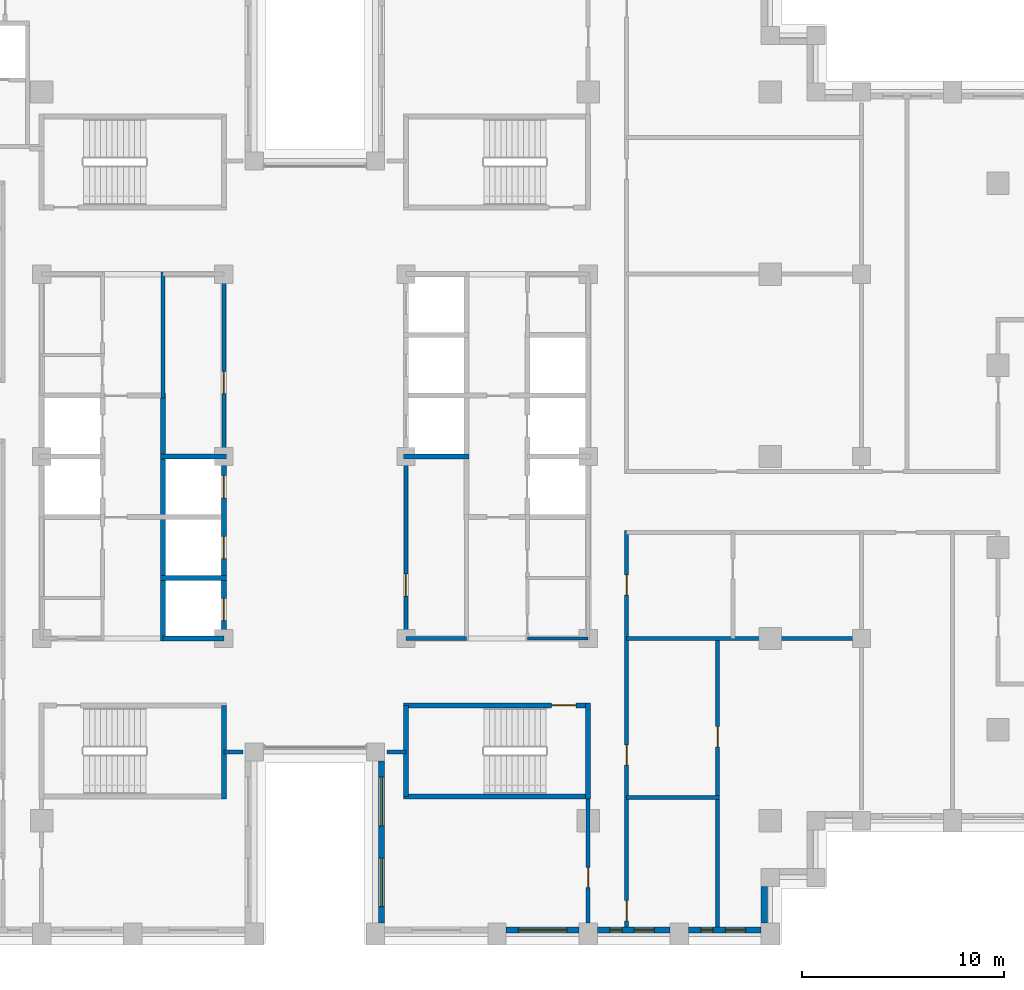
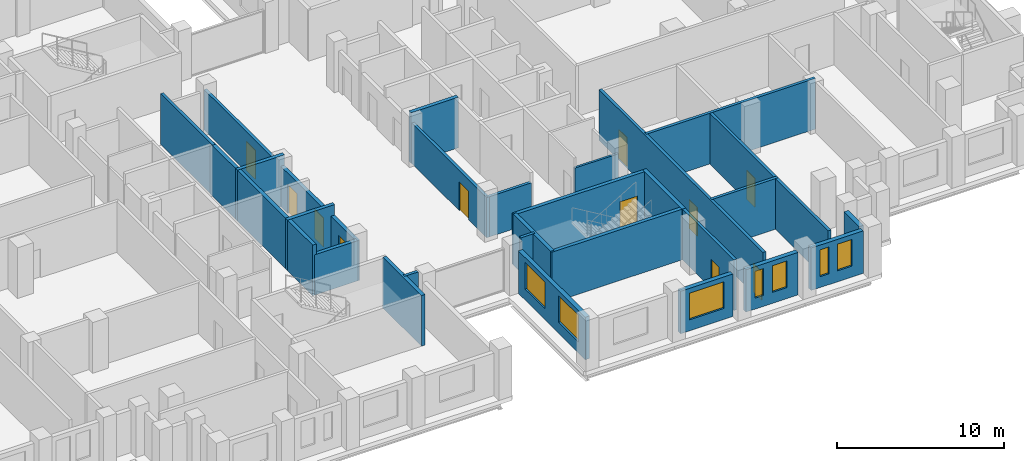
# One storey, part 8 of 15: 28 walls, 11 doors, 7 windows, 18 openings.
"""IFC4 building model written with IfcOpenShell, lengths in metres."""

from ifc_helpers import new_model, si_unit, direction, frame, frame_2d, origin, place, context, subcontext, project, spatial, rectangle, extrude, material, layer, layer_set, type_object, element, fill, save


model = new_model("IFC4")

# Units and contexts
model_context = context("Model", 3, precision=1e-05, world=origin(), true_north=direction((0.0, 1.0)))
body_context = subcontext(model_context, "Body", "Model", "MODEL_VIEW")
ifc_project = project(units=[si_unit("LENGTHUNIT", "METRE"), si_unit("AREAUNIT", "SQUARE_METRE"), si_unit("VOLUMEUNIT", "CUBIC_METRE"), si_unit("PLANEANGLEUNIT", "RADIAN"), si_unit("MASSUNIT", "GRAM", prefix="KILO")], contexts=[model_context])

# Site, building, storey
site_placement = place(None, origin())
site = spatial("IfcSite", under=ifc_project, at=site_placement, CompositionType="ELEMENT")
building_placement = place(site_placement, origin())
building = spatial("IfcBuilding", under=site, at=building_placement, Name="Corbelhall Arena Tower", CompositionType="ELEMENT")
storey_placement = place(building_placement, frame((0.0, 0.0, 138.0)))
storey = spatial("IfcBuildingStorey", under=building, at=storey_placement, Name="L26", CompositionType="ELEMENT", Elevation=138.0)

# Wall, openings, windows
ifc_material_1 = material(Name="Precast concrete C40/50 with granite facing", Category="masonry")
ifc_layer_1 = layer(ifc_material_1, 0.300048828125)
ifc_layer_set_1 = layer_set([ifc_layer_1], Name="EV-IW1 Infill panel 300")
wall_type_1 = type_object("IfcWallType", Name="EV-IW1 Infill panel 300", PredefinedType="SOLIDWALL", material=ifc_layer_set_1)
wall_1_placement = place(storey_placement, frame((3.300048828125, -15.050048828125, 0.0), z_axis=(0.0, 0.0, 1.0), x_axis=(0.0, -1.0, 0.0)))
wall_1 = element("IfcWall", 1, at=wall_1_placement, inside=storey, type_object=wall_type_1, Name="Infill panel IW1", PredefinedType="SOLIDWALL", context=body_context, shape_type="SweptSolid", body=[
    extrude(rectangle(XDim=8.0, YDim=0.300048828125, at=frame_2d((4.0, 0.0))), origin(), (0.0, 0.0, 1.0), 3.10009765625),
])
opening_1_placement = place(wall_1_placement, frame((0.800048828125, 0.0, 0.800048828125)))
opening_1 = element("IfcOpeningElement", 2, at=opening_1_placement, cuts=wall_1, Name="Opening WN1", PredefinedType="OPENING", context=body_context, shape_type="SweptSolid", body=[
    extrude(rectangle(XDim=2.39990234375, YDim=1.949951171875, at=frame_2d((1.199951171875, 0.97509765625))), frame((0.0, 0.14990234375, 0.0), z_axis=(0.0, -1.0, 0.0), x_axis=(1.0, 0.0, 0.0)), (0.0, 0.0, 1.0), 0.300048828125),
])
opening_2_placement = place(wall_1_placement, frame((4.800048828125, 0.0, 0.800048828125)))
opening_2 = element("IfcOpeningElement", 3, at=opening_2_placement, cuts=wall_1, Name="Opening WN1", PredefinedType="OPENING", context=body_context, shape_type="SweptSolid", body=[
    extrude(rectangle(XDim=2.39990234375, YDim=1.949951171875, at=frame_2d((1.199951171875, 0.97509765625))), frame((0.0, 0.14990234375, 0.0), z_axis=(0.0, -1.0, 0.0), x_axis=(1.0, 0.0, 0.0)), (0.0, 0.0, 1.0), 0.300048828125),
])
ifc_material_2 = material(Name="Aluminium black anodised", Category="aluminium")
window_type_1 = type_object("IfcWindowType", Name="EV-WN1 Office window", PartitioningType="SINGLE_PANEL", PredefinedType="WINDOW", material=ifc_material_2)
window_1_placement = place(opening_1_placement, origin())
window_1 = element("IfcWindow", 4, at=window_1_placement, inside=storey, type_object=window_type_1, Name="Window WN1", OverallHeight=1.949951171875, OverallWidth=2.39990234375, PartitioningType="SINGLE_PANEL", PredefinedType="WINDOW", context=body_context, shape_type="SweptSolid", body=[
    extrude(rectangle(XDim=2.39990234375, YDim=1.949951171875, at=frame_2d((1.199951171875, 0.97509765625))), frame((0.0, 0.030029296875, 0.0), z_axis=(0.0, -1.0, 0.0), x_axis=(1.0, 0.0, 0.0)), (0.0, 0.0, 1.0), 0.06005859375),
])
fill(opening_1, window_1)
window_2_placement = place(opening_2_placement, origin())
window_2 = element("IfcWindow", 5, at=window_2_placement, inside=storey, type_object=window_type_1, Name="Window WN1", OverallHeight=1.949951171875, OverallWidth=2.39990234375, PartitioningType="SINGLE_PANEL", PredefinedType="WINDOW", context=body_context, shape_type="SweptSolid", body=[
    extrude(rectangle(XDim=2.39990234375, YDim=1.949951171875, at=frame_2d((1.199951171875, 0.97509765625))), frame((0.0, 0.030029296875, 0.0), z_axis=(0.0, -1.0, 0.0), x_axis=(1.0, 0.0, 0.0)), (0.0, 0.0, 1.0), 0.06005859375),
])
fill(opening_2, window_2)

# Wall, opening, window
wall_2_placement = place(storey_placement, frame((9.449951171875, -23.39990234375, 0.0), z_axis=(0.0, 0.0, 1.0), x_axis=(1.0, 0.0, 0.0)))
wall_2 = element("IfcWall", 6, at=wall_2_placement, inside=storey, type_object=wall_type_1, Name="Infill panel IW1", PredefinedType="SOLIDWALL", context=body_context, shape_type="SweptSolid", body=[
    extrude(rectangle(XDim=3.60009765625, YDim=0.300048828125, at=frame_2d((1.800048828125, 0.0))), origin(), (0.0, 0.0, 1.0), 3.10009765625),
])
opening_3_placement = place(wall_2_placement, frame((0.60009765625, 0.0, 0.800048828125)))
opening_3 = element("IfcOpeningElement", 7, at=opening_3_placement, cuts=wall_2, Name="Opening WN1", PredefinedType="OPENING", context=body_context, shape_type="SweptSolid", body=[
    extrude(rectangle(XDim=2.39990234375, YDim=1.949951171875, at=frame_2d((1.199951171875, 0.97509765625))), frame((0.0, 0.14990234375, 0.0), z_axis=(0.0, -1.0, 0.0), x_axis=(1.0, 0.0, 0.0)), (0.0, 0.0, 1.0), 0.300048828125),
])
window_3_placement = place(opening_3_placement, origin())
window_3 = element("IfcWindow", 8, at=window_3_placement, inside=storey, type_object=window_type_1, Name="Window WN1", OverallHeight=1.949951171875, OverallWidth=2.39990234375, PartitioningType="SINGLE_PANEL", PredefinedType="WINDOW", context=body_context, shape_type="SweptSolid", body=[
    extrude(rectangle(XDim=2.39990234375, YDim=1.949951171875, at=frame_2d((1.199951171875, 0.97509765625))), frame((0.0, 0.030029296875, 0.0), z_axis=(0.0, -1.0, 0.0), x_axis=(1.0, 0.0, 0.0)), (0.0, 0.0, 1.0), 0.06005859375),
])
fill(opening_3, window_3)

# Wall, openings, windows
wall_3_placement = place(storey_placement, frame((13.949951171875, -23.39990234375, 0.0), z_axis=(0.0, 0.0, 1.0), x_axis=(1.0, 0.0, 0.0)))
wall_3 = element("IfcWall", 9, at=wall_3_placement, inside=storey, type_object=wall_type_1, Name="Infill panel IW1", PredefinedType="SOLIDWALL", context=body_context, shape_type="SweptSolid", body=[
    extrude(rectangle(XDim=3.60009765625, YDim=0.300048828125, at=frame_2d((1.800048828125, 0.0))), origin(), (0.0, 0.0, 1.0), 3.10009765625),
])
opening_4_placement = place(wall_3_placement, frame((0.625, 0.0, 0.800048828125)))
opening_4 = element("IfcOpeningElement", 10, at=opening_4_placement, cuts=wall_3, Name="Opening WN5", PredefinedType="OPENING", context=body_context, shape_type="SweptSolid", body=[
    extrude(rectangle(XDim=0.60009765625, YDim=1.949951171875, at=frame_2d((0.300048828125, 0.97509765625))), frame((0.0, 0.14990234375, 0.0), z_axis=(0.0, -1.0, 0.0), x_axis=(1.0, 0.0, 0.0)), (0.0, 0.0, 1.0), 0.300048828125),
])
opening_5_placement = place(wall_3_placement, frame((1.824951171875, 0.0, 0.800048828125)))
opening_5 = element("IfcOpeningElement", 11, at=opening_5_placement, cuts=wall_3, Name="Opening WN6", PredefinedType="OPENING", context=body_context, shape_type="SweptSolid", body=[
    extrude(rectangle(XDim=1.0, YDim=1.949951171875, at=frame_2d((0.5, 0.97509765625))), frame((0.0, 0.14990234375, 0.0), z_axis=(0.0, -1.0, 0.0), x_axis=(1.0, 0.0, 0.0)), (0.0, 0.0, 1.0), 0.300048828125),
])
window_type_2 = type_object("IfcWindowType", Name="EV-WN5 Office window 600", PartitioningType="SINGLE_PANEL", PredefinedType="WINDOW", material=ifc_material_2)
window_4_placement = place(opening_4_placement, origin())
window_4 = element("IfcWindow", 12, at=window_4_placement, inside=storey, type_object=window_type_2, Name="Window WN5", OverallHeight=1.949951171875, OverallWidth=0.60009765625, PartitioningType="SINGLE_PANEL", PredefinedType="WINDOW", context=body_context, shape_type="SweptSolid", body=[
    extrude(rectangle(XDim=0.60009765625, YDim=1.949951171875, at=frame_2d((0.300048828125, 0.97509765625))), frame((0.0, 0.030029296875, 0.0), z_axis=(0.0, -1.0, 0.0), x_axis=(1.0, 0.0, 0.0)), (0.0, 0.0, 1.0), 0.06005859375),
])
fill(opening_4, window_4)
window_type_3 = type_object("IfcWindowType", Name="EV-WN6 Office window 1000", PartitioningType="SINGLE_PANEL", PredefinedType="WINDOW", material=ifc_material_2)
window_5_placement = place(opening_5_placement, origin())
window_5 = element("IfcWindow", 13, at=window_5_placement, inside=storey, type_object=window_type_3, Name="Window WN6", OverallHeight=1.949951171875, OverallWidth=1.0, PartitioningType="SINGLE_PANEL", PredefinedType="WINDOW", context=body_context, shape_type="SweptSolid", body=[
    extrude(rectangle(XDim=1.0, YDim=1.949951171875, at=frame_2d((0.5, 0.97509765625))), frame((0.0, 0.030029296875, 0.0), z_axis=(0.0, -1.0, 0.0), x_axis=(1.0, 0.0, 0.0)), (0.0, 0.0, 1.0), 0.06005859375),
])
fill(opening_5, window_5)

wall_4_placement = place(storey_placement, frame((18.449951171875, -23.39990234375, 0.0), z_axis=(0.0, 0.0, 1.0), x_axis=(1.0, 0.0, 0.0)))
wall_4 = element("IfcWall", 14, at=wall_4_placement, inside=storey, type_object=wall_type_1, Name="Infill panel IW1", PredefinedType="SOLIDWALL", context=body_context, shape_type="SweptSolid", body=[
    extrude(rectangle(XDim=3.60009765625, YDim=0.300048828125, at=frame_2d((1.800048828125, 0.0))), origin(), (0.0, 0.0, 1.0), 3.10009765625),
])
opening_6_placement = place(wall_4_placement, frame((0.625, 0.0, 0.800048828125)))
opening_6 = element("IfcOpeningElement", 15, at=opening_6_placement, cuts=wall_4, Name="Opening WN5", PredefinedType="OPENING", context=body_context, shape_type="SweptSolid", body=[
    extrude(rectangle(XDim=0.60009765625, YDim=1.949951171875, at=frame_2d((0.300048828125, 0.97509765625))), frame((0.0, 0.14990234375, 0.0), z_axis=(0.0, -1.0, 0.0), x_axis=(1.0, 0.0, 0.0)), (0.0, 0.0, 1.0), 0.300048828125),
])
opening_7_placement = place(wall_4_placement, frame((1.824951171875, 0.0, 0.800048828125)))
opening_7 = element("IfcOpeningElement", 16, at=opening_7_placement, cuts=wall_4, Name="Opening WN6", PredefinedType="OPENING", context=body_context, shape_type="SweptSolid", body=[
    extrude(rectangle(XDim=1.0, YDim=1.949951171875, at=frame_2d((0.5, 0.97509765625))), frame((0.0, 0.14990234375, 0.0), z_axis=(0.0, -1.0, 0.0), x_axis=(1.0, 0.0, 0.0)), (0.0, 0.0, 1.0), 0.300048828125),
])
window_6_placement = place(opening_6_placement, origin())
window_6 = element("IfcWindow", 17, at=window_6_placement, inside=storey, type_object=window_type_2, Name="Window WN5", OverallHeight=1.949951171875, OverallWidth=0.60009765625, PartitioningType="SINGLE_PANEL", PredefinedType="WINDOW", context=body_context, shape_type="SweptSolid", body=[
    extrude(rectangle(XDim=0.60009765625, YDim=1.949951171875, at=frame_2d((0.300048828125, 0.97509765625))), frame((0.0, 0.030029296875, 0.0), z_axis=(0.0, -1.0, 0.0), x_axis=(1.0, 0.0, 0.0)), (0.0, 0.0, 1.0), 0.06005859375),
])
fill(opening_6, window_6)
window_7_placement = place(opening_7_placement, origin())
window_7 = element("IfcWindow", 18, at=window_7_placement, inside=storey, type_object=window_type_3, Name="Window WN6", OverallHeight=1.949951171875, OverallWidth=1.0, PartitioningType="SINGLE_PANEL", PredefinedType="WINDOW", context=body_context, shape_type="SweptSolid", body=[
    extrude(rectangle(XDim=1.0, YDim=1.949951171875, at=frame_2d((0.5, 0.97509765625))), frame((0.0, 0.030029296875, 0.0), z_axis=(0.0, -1.0, 0.0), x_axis=(1.0, 0.0, 0.0)), (0.0, 0.0, 1.0), 0.06005859375),
])
fill(opening_7, window_7)

# Walls
wall_5_placement = place(storey_placement, frame((22.199951171875, -23.050048828125, 0.0), z_axis=(0.0, 0.0, 1.0), x_axis=(0.0, 1.0, 0.0)))
element("IfcWall", 19, at=wall_5_placement, inside=storey, type_object=wall_type_1, Name="Infill panel IW1", PredefinedType="SOLIDWALL", context=body_context, shape_type="SweptSolid", body=[
    extrude(rectangle(XDim=1.800048828125, YDim=0.300048828125, at=frame_2d((0.89990234375, 0.0))), origin(), (0.0, 0.0, 1.0), 3.10009765625),
])
ifc_material_3 = material(Name="Gypsum board on steel stud, acoustic", Category="steel")
ifc_layer_2 = layer(ifc_material_3, 0.199951171875)
ifc_layer_set_2 = layer_set([ifc_layer_2], Name="IN-W-DM200")
wall_type_2 = type_object("IfcWallType", Name="IN-W-DM200", PredefinedType="PARTITIONING", material=ifc_layer_set_2)
for number, where, z_axis, x_axis, name in (
    (20, (-3.550048828125, -14.60009765625, 0.0), (0.0, 0.0, 1.0), (-1.0, 0.0, 0.0), "Partition 023"),
    (21, (4.5, -14.60009765625, 0.0), (0.0, 0.0, 1.0), (-1.0, 0.0, 0.0), "Partition 025"),
):
    element("IfcWall", number, at=place(storey_placement, frame(where, z_axis=z_axis, x_axis=x_axis)), inside=storey, type_object=wall_type_2, Name=name, PredefinedType="PARTITIONING", context=body_context, shape_type="SweptSolid", body=[
        extrude(rectangle(XDim=0.949951171875, YDim=0.199951171875, at=frame_2d((0.47509765625, 0.0))), origin(), (0.0, 0.0, 1.0), 3.699951171875),
    ])

# Wall, opening, door
wall_6_placement = place(storey_placement, frame((13.5, -23.050048828125, 0.0), z_axis=(0.0, 0.0, 1.0), x_axis=(0.0, 1.0, 0.0)))
wall_6 = element("IfcWall", 22, at=wall_6_placement, inside=storey, type_object=wall_type_2, Name="Partition 026", PredefinedType="PARTITIONING", context=body_context, shape_type="SweptSolid", body=[
    extrude(rectangle(XDim=6.375, YDim=0.199951171875, at=frame_2d((3.1875, 0.0))), origin(), (0.0, 0.0, 1.0), 3.699951171875),
])
opening_8_placement = place(wall_6_placement, frame((1.75, 0.0, 0.0)))
opening_8 = element("IfcOpeningElement", 23, at=opening_8_placement, cuts=wall_6, Name="Opening 07025", PredefinedType="OPENING", context=body_context, shape_type="SweptSolid", body=[
    extrude(rectangle(XDim=1.0, YDim=2.10009765625, at=frame_2d((0.5, 1.050048828125))), frame((0.0, 0.10009765625, 0.0), z_axis=(0.0, -1.0, 0.0), x_axis=(1.0, 0.0, 0.0)), (0.0, 0.0, 1.0), 0.199951171875),
])
ifc_material_4 = material(Name="Steel door set", Category="steel")
door_type_1 = type_object("IfcDoorType", Name="IN-D-SW100", OperationType="NOTDEFINED", PredefinedType="DOOR", material=ifc_material_4)
door_1_placement = place(opening_8_placement, origin())
door_1 = element("IfcDoor", 24, at=door_1_placement, inside=storey, type_object=door_type_1, Name="Door 025", OperationType="SINGLE_SWING_RIGHT", OverallHeight=2.10009765625, OverallWidth=1.0, PredefinedType="DOOR", context=body_context, shape_type="SweptSolid", body=[
    extrude(rectangle(XDim=1.0, YDim=2.10009765625, at=frame_2d((0.5, 1.050048828125))), frame((0.0, 0.02490234375, 0.0), z_axis=(0.0, -1.0, 0.0), x_axis=(1.0, 0.0, 0.0)), (0.0, 0.0, 1.0), 0.050048828125),
])
fill(opening_8, door_1)

# Wall
wall_7_placement = place(storey_placement, frame((15.39990234375, -16.85009765625, 0.0), z_axis=(0.0, 0.0, 1.0), x_axis=(1.0, 0.0, 0.0)))
element("IfcWall", 25, at=wall_7_placement, inside=storey, type_object=wall_type_2, Name="Partition 028", PredefinedType="PARTITIONING", context=body_context, shape_type="SweptSolid", body=[
    extrude(rectangle(XDim=4.60009765625, YDim=0.199951171875, at=frame_2d((2.300048828125, 0.0))), origin(), (0.0, 0.0, 1.0), 3.699951171875),
])

# Wall, openings, doors
wall_8_placement = place(storey_placement, frame((15.39990234375, -3.64990234375, 0.0), z_axis=(0.0, 0.0, 1.0), x_axis=(0.0, -1.0, 0.0)))
wall_8 = element("IfcWall", 26, at=wall_8_placement, inside=storey, type_object=wall_type_2, Name="Partition 029", PredefinedType="PARTITIONING", context=body_context, shape_type="SweptSolid", body=[
    extrude(rectangle(XDim=19.60009765625, YDim=0.199951171875, at=frame_2d((9.800048828125, 0.0))), origin(), (0.0, 0.0, 1.0), 3.699951171875),
])
opening_9_placement = place(wall_8_placement, frame((18.300048828125, 0.0, 0.0)))
opening_9 = element("IfcOpeningElement", 27, at=opening_9_placement, cuts=wall_8, Name="Opening 07035", PredefinedType="OPENING", context=body_context, shape_type="SweptSolid", body=[
    extrude(rectangle(XDim=1.0, YDim=2.10009765625, at=frame_2d((0.5, 1.050048828125))), frame((0.0, 0.10009765625, 0.0), z_axis=(0.0, -1.0, 0.0), x_axis=(1.0, 0.0, 0.0)), (0.0, 0.0, 1.0), 0.199951171875),
])
opening_10_placement = place(wall_8_placement, frame((10.60009765625, 0.0, 0.0)))
opening_10 = element("IfcOpeningElement", 28, at=opening_10_placement, cuts=wall_8, Name="Opening 07036", PredefinedType="OPENING", context=body_context, shape_type="SweptSolid", body=[
    extrude(rectangle(XDim=1.0, YDim=2.10009765625, at=frame_2d((0.5, 1.050048828125))), frame((0.0, 0.10009765625, 0.0), z_axis=(0.0, -1.0, 0.0), x_axis=(1.0, 0.0, 0.0)), (0.0, 0.0, 1.0), 0.199951171875),
])
opening_11_placement = place(wall_8_placement, frame((2.199951171875, 0.0, 0.0)))
opening_11 = element("IfcOpeningElement", 29, at=opening_11_placement, cuts=wall_8, Name="Opening 07038", PredefinedType="OPENING", context=body_context, shape_type="SweptSolid", body=[
    extrude(rectangle(XDim=1.0, YDim=2.10009765625, at=frame_2d((0.5, 1.050048828125))), frame((0.0, 0.10009765625, 0.0), z_axis=(0.0, -1.0, 0.0), x_axis=(1.0, 0.0, 0.0)), (0.0, 0.0, 1.0), 0.199951171875),
])
door_2_placement = place(opening_9_placement, origin())
door_2 = element("IfcDoor", 30, at=door_2_placement, inside=storey, type_object=door_type_1, Name="Door 035", OperationType="SINGLE_SWING_RIGHT", OverallHeight=2.10009765625, OverallWidth=1.0, PredefinedType="DOOR", context=body_context, shape_type="SweptSolid", body=[
    extrude(rectangle(XDim=1.0, YDim=2.10009765625, at=frame_2d((0.5, 1.050048828125))), frame((0.0, 0.02490234375, 0.0), z_axis=(0.0, -1.0, 0.0), x_axis=(1.0, 0.0, 0.0)), (0.0, 0.0, 1.0), 0.050048828125),
])
fill(opening_9, door_2)
door_3_placement = place(opening_10_placement, origin())
door_3 = element("IfcDoor", 31, at=door_3_placement, inside=storey, type_object=door_type_1, Name="Door 036", OperationType="SINGLE_SWING_LEFT", OverallHeight=2.10009765625, OverallWidth=1.0, PredefinedType="DOOR", context=body_context, shape_type="SweptSolid", body=[
    extrude(rectangle(XDim=1.0, YDim=2.10009765625, at=frame_2d((0.5, 1.050048828125))), frame((0.0, 0.02490234375, 0.0), z_axis=(0.0, -1.0, 0.0), x_axis=(1.0, 0.0, 0.0)), (0.0, 0.0, 1.0), 0.050048828125),
])
fill(opening_10, door_3)
door_4_placement = place(opening_11_placement, origin())
door_4 = element("IfcDoor", 32, at=door_4_placement, inside=storey, type_object=door_type_1, Name="Door 038", OperationType="SINGLE_SWING_LEFT", OverallHeight=2.10009765625, OverallWidth=1.0, PredefinedType="DOOR", context=body_context, shape_type="SweptSolid", body=[
    extrude(rectangle(XDim=1.0, YDim=2.10009765625, at=frame_2d((0.5, 1.050048828125))), frame((0.0, 0.02490234375, 0.0), z_axis=(0.0, -1.0, 0.0), x_axis=(1.0, 0.0, 0.0)), (0.0, 0.0, 1.0), 0.050048828125),
])
fill(opening_11, door_4)

# Wall
wall_9_placement = place(storey_placement, frame((15.39990234375, -9.0, 0.0), z_axis=(0.0, 0.0, 1.0), x_axis=(1.0, 0.0, 0.0)))
element("IfcWall", 33, at=wall_9_placement, inside=storey, type_object=wall_type_2, Name="Partition 030", PredefinedType="PARTITIONING", context=body_context, shape_type="SweptSolid", body=[
    extrude(rectangle(XDim=11.7001953125, YDim=0.199951171875, at=frame_2d((5.85009765625, 0.0))), origin(), (0.0, 0.0, 1.0), 3.699951171875),
])

# Wall, opening, door
wall_10_placement = place(storey_placement, frame((19.89990234375, -8.89990234375, 0.0), z_axis=(0.0, 0.0, 1.0), x_axis=(0.0, -1.0, 0.0)))
wall_10 = element("IfcWall", 34, at=wall_10_placement, inside=storey, type_object=wall_type_2, Name="Partition 035", PredefinedType="PARTITIONING", context=body_context, shape_type="SweptSolid", body=[
    extrude(rectangle(XDim=14.35009765625, YDim=0.199951171875, at=frame_2d((7.175048828125, 0.0))), origin(), (0.0, 0.0, 1.0), 3.699951171875),
])
opening_12_placement = place(wall_10_placement, frame((4.449951171875, 0.0, 0.0)))
opening_12 = element("IfcOpeningElement", 35, at=opening_12_placement, cuts=wall_10, Name="Opening 07037", PredefinedType="OPENING", context=body_context, shape_type="SweptSolid", body=[
    extrude(rectangle(XDim=1.0, YDim=2.10009765625, at=frame_2d((0.5, 1.050048828125))), frame((0.0, 0.10009765625, 0.0), z_axis=(0.0, -1.0, 0.0), x_axis=(1.0, 0.0, 0.0)), (0.0, 0.0, 1.0), 0.199951171875),
])
door_5_placement = place(opening_12_placement, origin())
door_5 = element("IfcDoor", 36, at=door_5_placement, inside=storey, type_object=door_type_1, Name="Door 037", OperationType="SINGLE_SWING_RIGHT", OverallHeight=2.10009765625, OverallWidth=1.0, PredefinedType="DOOR", context=body_context, shape_type="SweptSolid", body=[
    extrude(rectangle(XDim=1.0, YDim=2.10009765625, at=frame_2d((0.5, 1.050048828125))), frame((0.0, 0.02490234375, 0.0), z_axis=(0.0, -1.0, 0.0), x_axis=(1.0, 0.0, 0.0)), (0.0, 0.0, 1.0), 0.050048828125),
])
fill(opening_12, door_5)

# Wall
ifc_material_5 = material(Name="Concrete block wall", Category="concrete")
ifc_layer_3 = layer(ifc_material_5, 0.199951171875)
ifc_layer_set_3 = layer_set([ifc_layer_3], Name="IN-W-RS200")
wall_type_3 = type_object("IfcWallType", Name="IN-W-RS200", PredefinedType="SOLIDWALL", material=ifc_layer_set_3)
wall_11_placement = place(storey_placement, frame((-7.5, 2.875, 0.0), z_axis=(0.0, 0.0, 1.0), x_axis=(0.0, 1.0, 0.0)))
element("IfcWall", 37, at=wall_11_placement, inside=storey, type_object=wall_type_3, Name="Partition 051", PredefinedType="SOLIDWALL", context=body_context, shape_type="SweptSolid", body=[
    extrude(rectangle(XDim=6.22509765625, YDim=0.199951171875, at=frame_2d((3.112548828125, 0.0))), origin(), (0.0, 0.0, 1.0), 3.699951171875),
])

# Wall, opening, door
ifc_layer_4 = layer(ifc_material_5, 0.199951171875)
ifc_layer_set_4 = layer_set([ifc_layer_4], Name="IN-W-RS200 under beam 762 mm")
wall_type_4 = type_object("IfcWallType", Name="IN-W-RS200 under beam 762 mm", PredefinedType="SOLIDWALL", material=ifc_layer_set_4)
wall_12_placement = place(storey_placement, frame((-4.5, 9.10009765625, 0.0), z_axis=(0.0, 0.0, 1.0), x_axis=(0.0, -1.0, 0.0)))
wall_12 = element("IfcWall", 38, at=wall_12_placement, inside=storey, type_object=wall_type_4, Name="Partition 053", PredefinedType="SOLIDWALL", context=body_context, shape_type="SweptSolid", body=[
    extrude(rectangle(XDim=9.10009765625, YDim=0.199951171875, at=frame_2d((4.550048828125, 0.0))), origin(), (0.0, 0.0, 1.0), 2.93798828125),
])
opening_13_placement = place(wall_12_placement, frame((4.89990234375, 0.0, 0.0)))
opening_13 = element("IfcOpeningElement", 39, at=opening_13_placement, cuts=wall_12, Name="Opening 07001", PredefinedType="OPENING", context=body_context, shape_type="SweptSolid", body=[
    extrude(rectangle(XDim=1.10009765625, YDim=2.10009765625, at=frame_2d((0.550048828125, 1.050048828125))), frame((0.0, 0.10009765625, 0.0), z_axis=(0.0, -1.0, 0.0), x_axis=(1.0, 0.0, 0.0)), (0.0, 0.0, 1.0), 0.199951171875),
])
door_type_2 = type_object("IfcDoorType", Name="IN-D-FD110", OperationType="NOTDEFINED", PredefinedType="DOOR", material=ifc_material_4)
door_6_placement = place(opening_13_placement, origin())
door_6 = element("IfcDoor", 40, at=door_6_placement, inside=storey, type_object=door_type_2, Name="Door 001", OperationType="SINGLE_SWING_RIGHT", OverallHeight=2.10009765625, OverallWidth=1.10009765625, PredefinedType="DOOR", context=body_context, shape_type="SweptSolid", body=[
    extrude(rectangle(XDim=1.10009765625, YDim=2.10009765625, at=frame_2d((0.550048828125, 1.050048828125))), frame((0.0, 0.02490234375, 0.0), z_axis=(0.0, -1.0, 0.0), x_axis=(1.0, 0.0, 0.0)), (0.0, 0.0, 1.0), 0.050048828125),
])
fill(opening_13, door_6)

wall_13_placement = place(storey_placement, frame((4.5, -9.10009765625, 0.0), z_axis=(0.0, 0.0, 1.0), x_axis=(0.0, 1.0, 0.0)))
wall_13 = element("IfcWall", 41, at=wall_13_placement, inside=storey, type_object=wall_type_4, Name="Partition 054", PredefinedType="SOLIDWALL", context=body_context, shape_type="SweptSolid", body=[
    extrude(rectangle(XDim=9.10009765625, YDim=0.199951171875, at=frame_2d((4.550048828125, 0.0))), origin(), (0.0, 0.0, 1.0), 2.93798828125),
])
opening_14_placement = place(wall_13_placement, frame((2.199951171875, 0.0, 0.0)))
opening_14 = element("IfcOpeningElement", 42, at=opening_14_placement, cuts=wall_13, Name="Opening 07008", PredefinedType="OPENING", context=body_context, shape_type="SweptSolid", body=[
    extrude(rectangle(XDim=1.10009765625, YDim=2.10009765625, at=frame_2d((0.550048828125, 1.050048828125))), frame((0.0, 0.10009765625, 0.0), z_axis=(0.0, -1.0, 0.0), x_axis=(1.0, 0.0, 0.0)), (0.0, 0.0, 1.0), 0.199951171875),
])
door_7_placement = place(opening_14_placement, origin())
door_7 = element("IfcDoor", 43, at=door_7_placement, inside=storey, type_object=door_type_2, Name="Door 008", OperationType="SINGLE_SWING_LEFT", OverallHeight=2.10009765625, OverallWidth=1.10009765625, PredefinedType="DOOR", context=body_context, shape_type="SweptSolid", body=[
    extrude(rectangle(XDim=1.10009765625, YDim=2.10009765625, at=frame_2d((0.550048828125, 1.050048828125))), frame((0.0, 0.02490234375, 0.0), z_axis=(0.0, -1.0, 0.0), x_axis=(1.0, 0.0, 0.0)), (0.0, 0.0, 1.0), 0.050048828125),
])
fill(opening_14, door_7)

# Walls
wall_14_placement = place(storey_placement, frame((7.5, -9.0, 0.0), z_axis=(0.0, 0.0, 1.0), x_axis=(-1.0, 0.0, 0.0)))
element("IfcWall", 44, at=wall_14_placement, inside=storey, type_object=wall_type_4, Name="Partition 055", PredefinedType="SOLIDWALL", context=body_context, shape_type="SweptSolid", body=[
    extrude(rectangle(XDim=3.0, YDim=0.199951171875, at=frame_2d((1.5, 0.0))), origin(), (0.0, 0.0, 1.0), 2.93798828125),
])
ifc_material_6 = material(Name="Concrete C40/50", Category="concrete")
ifc_layer_5 = layer(ifc_material_6, 0.25)
ifc_layer_set_5 = layer_set([ifc_layer_5], Name="IN-W-SH250")
wall_type_5 = type_object("IfcWallType", Name="IN-W-SH250", PredefinedType="SOLIDWALL", material=ifc_layer_set_5)
for number, where, z_axis, x_axis, name in (
    (45, (-7.625, -6.0, 0.0), (0.0, 0.0, 1.0), (1.0, 0.0, 0.0), "Shaft wall 067"),
    (46, (-7.625, 0.0, 0.0), (0.0, 0.0, 1.0), (1.0, 0.0, 0.0), "Shaft wall 068"),
):
    element("IfcWall", number, at=place(storey_placement, frame(where, z_axis=z_axis, x_axis=x_axis)), inside=storey, type_object=wall_type_5, Name=name, PredefinedType="SOLIDWALL", context=body_context, shape_type="SweptSolid", body=[
        extrude(rectangle(XDim=3.25, YDim=0.25, at=frame_2d((1.625, 0.0))), origin(), (0.0, 0.0, 1.0), 3.699951171875),
    ])
wall_15_placement = place(storey_placement, frame((-7.5, -9.125, 0.0), z_axis=(0.0, 0.0, 1.0), x_axis=(0.0, 1.0, 0.0)))
element("IfcWall", 47, at=wall_15_placement, inside=storey, type_object=wall_type_5, Name="Shaft wall 069", PredefinedType="SOLIDWALL", context=body_context, shape_type="SweptSolid", body=[
    extrude(rectangle(XDim=12.25, YDim=0.25, at=frame_2d((6.125, 0.0))), origin(), (0.0, 0.0, 1.0), 3.699951171875),
])
wall_16_placement = place(storey_placement, frame((4.375, 0.0, 0.0), z_axis=(0.0, 0.0, 1.0), x_axis=(1.0, 0.0, 0.0)))
element("IfcWall", 48, at=wall_16_placement, inside=storey, type_object=wall_type_5, Name="Shaft wall 072", PredefinedType="SOLIDWALL", context=body_context, shape_type="SweptSolid", body=[
    extrude(rectangle(XDim=3.25, YDim=0.25, at=frame_2d((1.625, 0.0))), origin(), (0.0, 0.0, 1.0), 3.699951171875),
])
ifc_layer_6 = layer(ifc_material_6, 0.25)
ifc_layer_set_6 = layer_set([ifc_layer_6], Name="IN-W-SH250 under beam 762 mm")
wall_type_6 = type_object("IfcWallType", Name="IN-W-SH250 under beam 762 mm", PredefinedType="SOLIDWALL", material=ifc_layer_set_6)
wall_17_placement = place(storey_placement, frame((-4.5, -9.0, 0.0), z_axis=(0.0, 0.0, 1.0), x_axis=(-1.0, 0.0, 0.0)))
element("IfcWall", 49, at=wall_17_placement, inside=storey, type_object=wall_type_6, Name="Shaft wall 070", PredefinedType="SOLIDWALL", context=body_context, shape_type="SweptSolid", body=[
    extrude(rectangle(XDim=3.0, YDim=0.25, at=frame_2d((1.5, 0.0))), origin(), (0.0, 0.0, 1.0), 2.93798828125),
])

# Wall, openings, doors
wall_18_placement = place(storey_placement, frame((-4.5, 0.0, 0.0), z_axis=(0.0, 0.0, 1.0), x_axis=(0.0, -1.0, 0.0)))
wall_18 = element("IfcWall", 50, at=wall_18_placement, inside=storey, type_object=wall_type_6, Name="Shaft wall 071", PredefinedType="SOLIDWALL", context=body_context, shape_type="SweptSolid", body=[
    extrude(rectangle(XDim=9.125, YDim=0.25, at=frame_2d((4.5625, 0.0))), origin(), (0.0, 0.0, 1.0), 2.93798828125),
])
opening_15_placement = place(wall_18_placement, frame((7.012451171875, 0.0, 0.0)))
opening_15 = element("IfcOpeningElement", 51, at=opening_15_placement, cuts=wall_18, Name="Opening LD", PredefinedType="OPENING", context=body_context, shape_type="SweptSolid", body=[
    extrude(rectangle(XDim=1.10009765625, YDim=2.10009765625, at=frame_2d((0.550048828125, 1.050048828125))), frame((0.0, 0.125, 0.0), z_axis=(0.0, -1.0, 0.0), x_axis=(1.0, 0.0, 0.0)), (0.0, 0.0, 1.0), 0.25),
])
opening_16_placement = place(wall_18_placement, frame((3.949951171875, 0.0, 0.0)))
opening_16 = element("IfcOpeningElement", 52, at=opening_16_placement, cuts=wall_18, Name="Opening LD", PredefinedType="OPENING", context=body_context, shape_type="SweptSolid", body=[
    extrude(rectangle(XDim=1.10009765625, YDim=2.10009765625, at=frame_2d((0.550048828125, 1.050048828125))), frame((0.0, 0.125, 0.0), z_axis=(0.0, -1.0, 0.0), x_axis=(1.0, 0.0, 0.0)), (0.0, 0.0, 1.0), 0.25),
])
opening_17_placement = place(wall_18_placement, frame((0.949951171875, 0.0, 0.0)))
opening_17 = element("IfcOpeningElement", 53, at=opening_17_placement, cuts=wall_18, Name="Opening LD", PredefinedType="OPENING", context=body_context, shape_type="SweptSolid", body=[
    extrude(rectangle(XDim=1.10009765625, YDim=2.10009765625, at=frame_2d((0.550048828125, 1.050048828125))), frame((0.0, 0.125, 0.0), z_axis=(0.0, -1.0, 0.0), x_axis=(1.0, 0.0, 0.0)), (0.0, 0.0, 1.0), 0.25),
])
door_type_3 = type_object("IfcDoorType", Name="IN-D-LD110", OperationType="NOTDEFINED", PredefinedType="DOOR", material=ifc_material_4)
door_8_placement = place(opening_15_placement, origin())
door_8 = element("IfcDoor", 54, at=door_8_placement, inside=storey, type_object=door_type_3, Name="Landing door W1", OperationType="SLIDING_TO_LEFT", OverallHeight=2.10009765625, OverallWidth=1.10009765625, PredefinedType="DOOR", context=body_context, shape_type="SweptSolid", body=[
    extrude(rectangle(XDim=1.10009765625, YDim=2.10009765625, at=frame_2d((0.550048828125, 1.050048828125))), frame((0.0, 0.02490234375, 0.0), z_axis=(0.0, -1.0, 0.0), x_axis=(1.0, 0.0, 0.0)), (0.0, 0.0, 1.0), 0.050048828125),
])
fill(opening_15, door_8)
door_9_placement = place(opening_16_placement, origin())
door_9 = element("IfcDoor", 55, at=door_9_placement, inside=storey, type_object=door_type_3, Name="Landing door W2", OperationType="SLIDING_TO_LEFT", OverallHeight=2.10009765625, OverallWidth=1.10009765625, PredefinedType="DOOR", context=body_context, shape_type="SweptSolid", body=[
    extrude(rectangle(XDim=1.10009765625, YDim=2.10009765625, at=frame_2d((0.550048828125, 1.050048828125))), frame((0.0, 0.02490234375, 0.0), z_axis=(0.0, -1.0, 0.0), x_axis=(1.0, 0.0, 0.0)), (0.0, 0.0, 1.0), 0.050048828125),
])
fill(opening_16, door_9)
door_10_placement = place(opening_17_placement, origin())
door_10 = element("IfcDoor", 56, at=door_10_placement, inside=storey, type_object=door_type_3, Name="Landing door W3", OperationType="SLIDING_TO_LEFT", OverallHeight=2.10009765625, OverallWidth=1.10009765625, PredefinedType="DOOR", context=body_context, shape_type="SweptSolid", body=[
    extrude(rectangle(XDim=1.10009765625, YDim=2.10009765625, at=frame_2d((0.550048828125, 1.050048828125))), frame((0.0, 0.02490234375, 0.0), z_axis=(0.0, -1.0, 0.0), x_axis=(1.0, 0.0, 0.0)), (0.0, 0.0, 1.0), 0.050048828125),
])
fill(opening_17, door_10)

# Walls
ifc_layer_7 = layer(ifc_material_6, 0.25)
ifc_layer_set_7 = layer_set([ifc_layer_7], Name="IN-W-ST250")
wall_type_7 = type_object("IfcWallType", Name="IN-W-ST250", PredefinedType="SOLIDWALL", material=ifc_layer_set_7)
wall_19_placement = place(storey_placement, frame((-4.5, -12.300048828125, 0.0), z_axis=(0.0, 0.0, 1.0), x_axis=(0.0, -1.0, 0.0)))
element("IfcWall", 57, at=wall_19_placement, inside=storey, type_object=wall_type_7, Name="Shaft wall 094", PredefinedType="SOLIDWALL", context=body_context, shape_type="SweptSolid", body=[
    extrude(rectangle(XDim=4.625, YDim=0.25, at=frame_2d((2.3125, 0.0))), origin(), (0.0, 0.0, 1.0), 3.699951171875),
])
wall_20_placement = place(storey_placement, frame((4.5, -16.800048828125, 0.0), z_axis=(0.0, 0.0, 1.0), x_axis=(0.0, 1.0, 0.0)))
element("IfcWall", 58, at=wall_20_placement, inside=storey, type_object=wall_type_7, Name="Shaft wall 099", PredefinedType="SOLIDWALL", context=body_context, shape_type="SweptSolid", body=[
    extrude(rectangle(XDim=4.5, YDim=0.25, at=frame_2d((2.25, 0.0))), origin(), (0.0, 0.0, 1.0), 3.699951171875),
])
wall_21_placement = place(storey_placement, frame((13.5, -16.925048828125, 0.0), z_axis=(0.0, 0.0, 1.0), x_axis=(0.0, 1.0, 0.0)))
element("IfcWall", 59, at=wall_21_placement, inside=storey, type_object=wall_type_7, Name="Shaft wall 101", PredefinedType="SOLIDWALL", context=body_context, shape_type="SweptSolid", body=[
    extrude(rectangle(XDim=4.75, YDim=0.25, at=frame_2d((2.375, 0.0))), origin(), (0.0, 0.0, 1.0), 3.699951171875),
])
wall_22_placement = place(storey_placement, frame((13.5, -16.800048828125, 0.0), z_axis=(0.0, 0.0, 1.0), x_axis=(-1.0, 0.0, 0.0)))
element("IfcWall", 60, at=wall_22_placement, inside=storey, type_object=wall_type_7, Name="Shaft wall 102", PredefinedType="SOLIDWALL", context=body_context, shape_type="SweptSolid", body=[
    extrude(rectangle(XDim=9.125, YDim=0.25, at=frame_2d((4.5625, 0.0))), origin(), (0.0, 0.0, 1.0), 3.699951171875),
])

# Wall, opening, door
wall_23_placement = place(storey_placement, frame((13.5, -12.300048828125, 0.0), z_axis=(0.0, 0.0, 1.0), x_axis=(-1.0, 0.0, 0.0)))
wall_23 = element("IfcWall", 61, at=wall_23_placement, inside=storey, type_object=wall_type_7, Name="Shaft wall 103", PredefinedType="SOLIDWALL", context=body_context, shape_type="SweptSolid", body=[
    extrude(rectangle(XDim=9.125, YDim=0.25, at=frame_2d((4.5625, 0.0))), origin(), (0.0, 0.0, 1.0), 3.699951171875),
])
opening_18_placement = place(wall_23_placement, frame((0.60009765625, 0.0, 0.0)))
opening_18 = element("IfcOpeningElement", 62, at=opening_18_placement, cuts=wall_23, Name="Opening 07017", PredefinedType="OPENING", context=body_context, shape_type="SweptSolid", body=[
    extrude(rectangle(XDim=1.199951171875, YDim=2.10009765625, at=frame_2d((0.60009765625, 1.050048828125))), frame((0.0, 0.125, 0.0), z_axis=(0.0, -1.0, 0.0), x_axis=(1.0, 0.0, 0.0)), (0.0, 0.0, 1.0), 0.25),
])
door_type_4 = type_object("IfcDoorType", Name="IN-D-ST120", OperationType="NOTDEFINED", PredefinedType="DOOR", material=ifc_material_4)
door_11_placement = place(opening_18_placement, origin())
door_11 = element("IfcDoor", 63, at=door_11_placement, inside=storey, type_object=door_type_4, Name="Door 017", OperationType="SINGLE_SWING_RIGHT", OverallHeight=2.10009765625, OverallWidth=1.199951171875, PredefinedType="DOOR", context=body_context, shape_type="SweptSolid", body=[
    extrude(rectangle(XDim=1.199951171875, YDim=2.10009765625, at=frame_2d((0.60009765625, 1.050048828125))), frame((0.0, 0.02490234375, 0.0), z_axis=(0.0, -1.0, 0.0), x_axis=(1.0, 0.0, 0.0)), (0.0, 0.0, 1.0), 0.050048828125),
])
fill(opening_18, door_11)

# Wall
ifc_material_7 = material(Name="Gypsum board on steel stud, moisture resistant", Category="steel")
ifc_layer_8 = layer(ifc_material_7, 0.14990234375)
ifc_layer_set_8 = layer_set([ifc_layer_8], Name="IN-W-WC150 under beam 762 mm")
wall_type_8 = type_object("IfcWallType", Name="IN-W-WC150 under beam 762 mm", PredefinedType="PARTITIONING", material=ifc_layer_set_8)
wall_24_placement = place(storey_placement, frame((13.5, -9.0, 0.0), z_axis=(0.0, 0.0, 1.0), x_axis=(-1.0, 0.0, 0.0)))
element("IfcWall", 64, at=wall_24_placement, inside=storey, type_object=wall_type_8, Name="Partition 120", PredefinedType="PARTITIONING", context=body_context, shape_type="SweptSolid", body=[
    extrude(rectangle(XDim=3.0, YDim=0.14990234375, at=frame_2d((1.5, 0.0))), origin(), (0.0, 0.0, 1.0), 2.93798828125),
])

save(model, "model.ifc")
